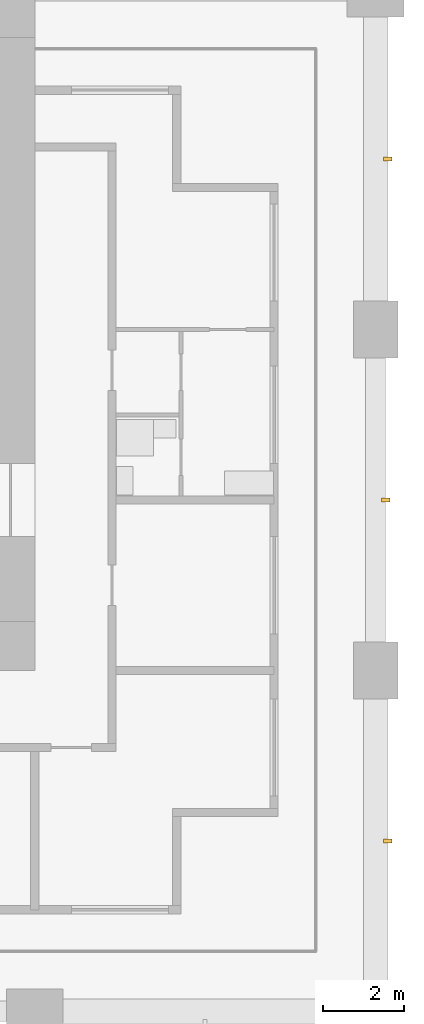
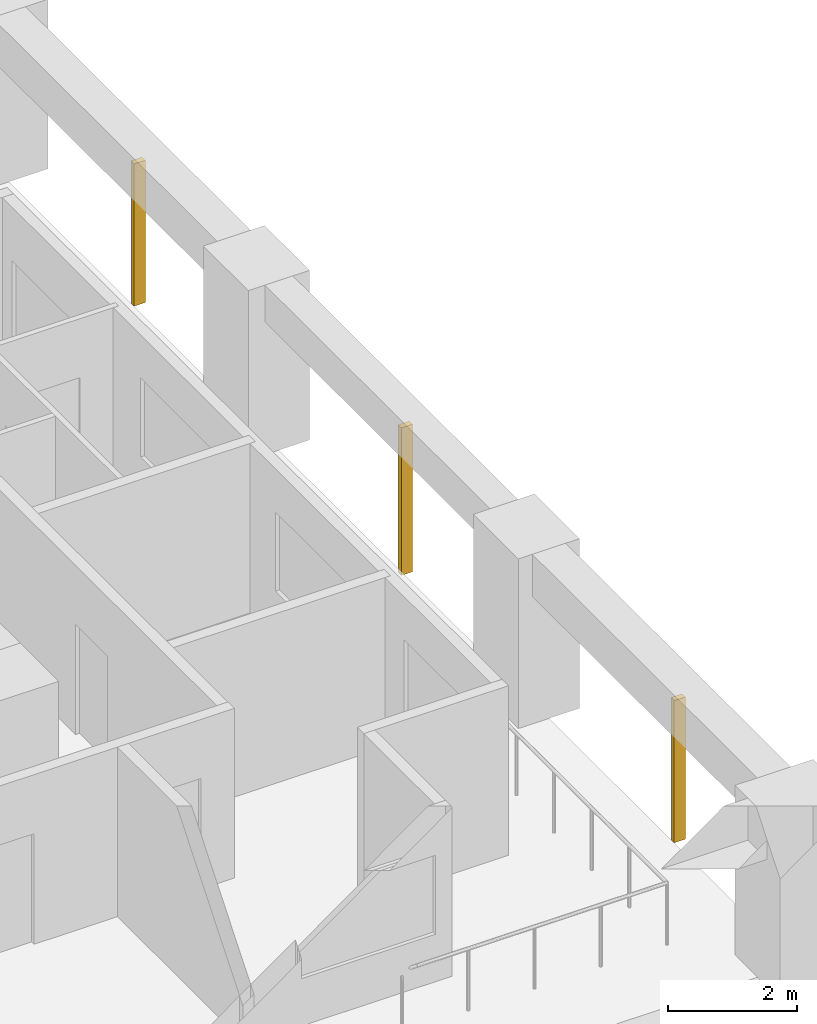
# One storey, part 18 of 19: 3 shading devices.
"""IFC4 building model written with IfcOpenShell, lengths in metres."""

from ifc_helpers import new_model, si_unit, direction, frame, origin, origin_2d, place, context, subcontext, project, spatial, rectangle, extrude, material, material_profile, profile_set, type_object, element, save


model = new_model("IFC4")

# Units and contexts
model_context = context("Model", 3, precision=1e-05, world=origin(), true_north=direction((0.0, 1.0)))
body_context = subcontext(model_context, "Body", "Model", "MODEL_VIEW")
ifc_project = project(units=[si_unit("LENGTHUNIT", "METRE"), si_unit("AREAUNIT", "SQUARE_METRE"), si_unit("VOLUMEUNIT", "CUBIC_METRE"), si_unit("PLANEANGLEUNIT", "RADIAN"), si_unit("MASSUNIT", "GRAM", prefix="KILO")], contexts=[model_context])

# Site, building, storey
site_placement = place(None, origin())
site = spatial("IfcSite", under=ifc_project, at=site_placement, CompositionType="ELEMENT")
building_placement = place(site_placement, origin())
building = spatial("IfcBuilding", under=site, at=building_placement, Name="Vermilion Gate Residences", CompositionType="ELEMENT")
storey_placement = place(building_placement, frame((0.0, 0.0, 53.199951171875)))
storey = spatial("IfcBuildingStorey", under=building, at=storey_placement, Name="L12", CompositionType="ELEMENT", Elevation=53.199951171875)

# Shading devices
ifc_material = material(Name="Extruded terracotta", Category="masonry")
ifc_material_profile = material_profile(ifc_material, rectangle(XDim=0.199951171875, YDim=0.10009765625, at=origin_2d()), Name="BAGUETTE 100 X 200")
ifc_profile_set = profile_set([ifc_material_profile], Name="Extruded terracotta")
shading_device_type = type_object("IfcShadingDeviceType", Name="TERRACOTTA BAGUETTE 100 X 200", PredefinedType="JALOUSIE", material=ifc_profile_set)
shading_device_1_placement = place(storey_placement, frame((67.5, 4.199951171875, -0.280029296875), z_axis=(0.0, 0.0, 1.0), x_axis=(-1.0, 0.0, 0.0)))
element("IfcShadingDevice", 1, at=shading_device_1_placement, inside=storey, type_object=shading_device_type, Name="BAGUETTE", PredefinedType="JALOUSIE", context=body_context, shape_type="SweptSolid", body=[
    extrude(rectangle(XDim=0.199951171875, YDim=0.10009765625, at=origin_2d()), origin(), (0.0, 0.0, 1.0), 2.7001953125),
])
shading_device_2_placement = place(storey_placement, frame((67.449951171875, 12.60009765625, -0.280029296875), z_axis=(0.0, 0.0, 1.0), x_axis=(-1.0, 0.0, 0.0)))
element("IfcShadingDevice", 2, at=shading_device_2_placement, inside=storey, type_object=shading_device_type, Name="BAGUETTE", PredefinedType="JALOUSIE", context=body_context, shape_type="SweptSolid", body=[
    extrude(rectangle(XDim=0.199951171875, YDim=0.10009765625, at=origin_2d()), origin(), (0.0, 0.0, 1.0), 2.800048828125),
])
shading_device_3_placement = place(storey_placement, frame((67.5, 21.0, -0.280029296875), z_axis=(0.0, 0.0, 1.0), x_axis=(-1.0, 0.0, 0.0)))
element("IfcShadingDevice", 3, at=shading_device_3_placement, inside=storey, type_object=shading_device_type, Name="BAGUETTE", PredefinedType="JALOUSIE", context=body_context, shape_type="SweptSolid", body=[
    extrude(rectangle(XDim=0.199951171875, YDim=0.10009765625, at=origin_2d()), origin(), (0.0, 0.0, 1.0), 2.7001953125),
])

save(model, "model.ifc")
